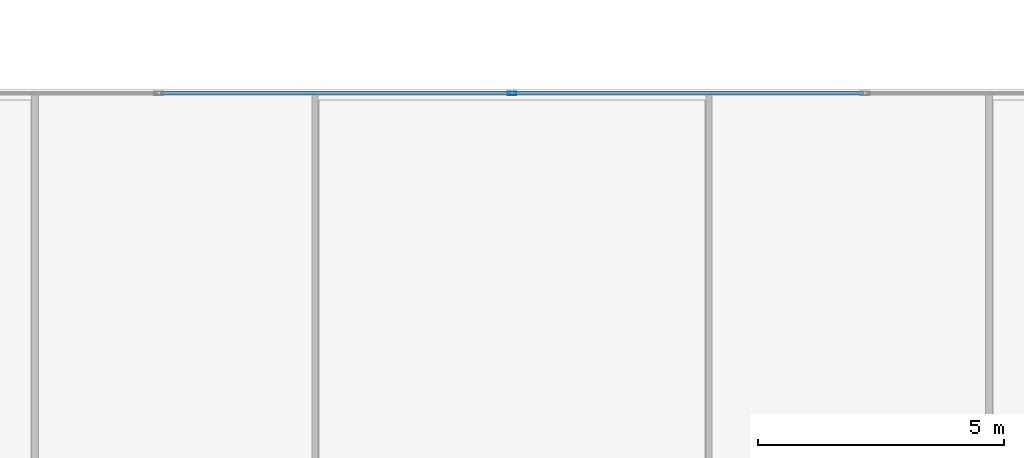
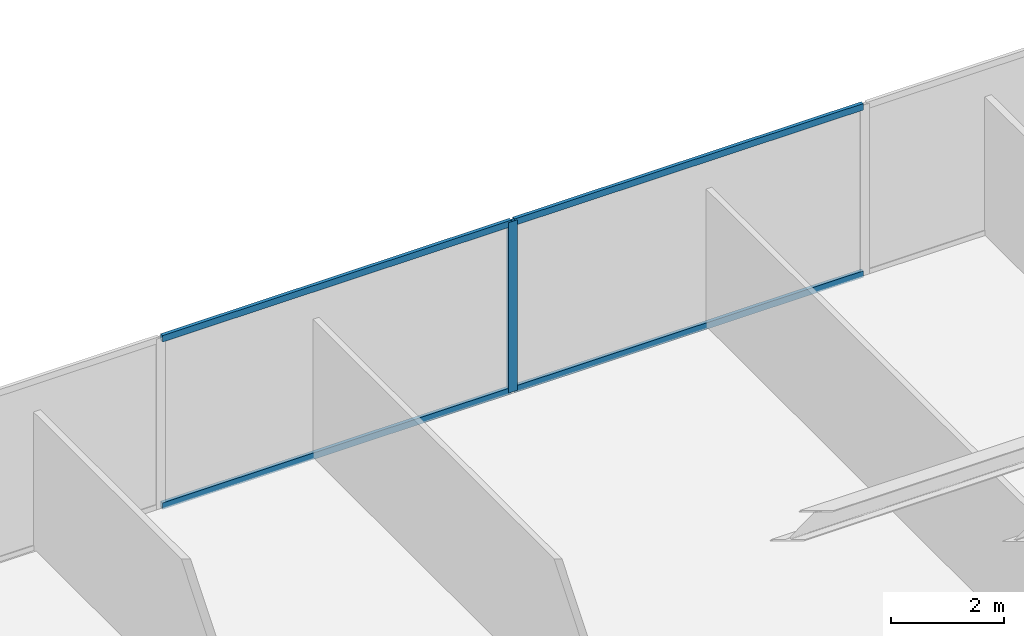
# One storey, part 20 of 30: 5 members, 1 element without a shape of its own.
"""IFC4 building model written with IfcOpenShell, lengths in metres."""

from ifc_helpers import new_model, si_unit, direction, frame, origin, origin_2d, place, context, subcontext, project, spatial, hollow_rectangle, extrude, source, transform, mapped, material, material_profile, profile_set, type_object, type_shapes, element, aggregate, save


model = new_model("IFC4")

# Units and contexts
model_context = context("Model", 3, precision=1e-05, world=origin(), true_north=direction((0.0, 1.0)))
body_context = subcontext(model_context, "Body", "Model", "MODEL_VIEW")
ifc_project = project(units=[si_unit("LENGTHUNIT", "METRE"), si_unit("AREAUNIT", "SQUARE_METRE"), si_unit("VOLUMEUNIT", "CUBIC_METRE"), si_unit("PLANEANGLEUNIT", "RADIAN"), si_unit("MASSUNIT", "GRAM", prefix="KILO")], contexts=[model_context])

# Site, building, storey
site_placement = place(None, origin())
site = spatial("IfcSite", under=ifc_project, at=site_placement, CompositionType="ELEMENT")
building_placement = place(site_placement, origin())
building = spatial("IfcBuilding", under=site, at=building_placement, Name="Krantzveldt Concourse Tower", CompositionType="ELEMENT")
storey_placement = place(building_placement, frame((0.0, 0.0, 25.0)))
storey = spatial("IfcBuildingStorey", under=building, at=storey_placement, Name="L05", CompositionType="ELEMENT", Elevation=25.0)

# Curtain wall, members
ifc_material = material(Name="Anodised aluminium 6063-T6", Category="aluminium")
curtain_wall_type = type_object("IfcCurtainWallType", Name="CW2", PredefinedType="USERDEFINED", material=ifc_material)
curtain_wall_placement = place(storey_placement, origin())
curtain_wall = element("IfcCurtainWall", 1, at=curtain_wall_placement, inside=storey, type_object=curtain_wall_type, Name="CW-L05-F10", ObjectType="UNITISED CURTAIN WALL", PredefinedType="USERDEFINED")
ifc_material_profile_1 = material_profile(ifc_material, hollow_rectangle(XDim=0.070068359375, YDim=0.179931640625, WallThickness=0.0048828125, at=origin_2d()), Name="Anodised aluminium 6063-T6", Category="aluminium")
ifc_profile_set_1 = profile_set([ifc_material_profile_1], Name="Anodised aluminium 6063-T6 - ALU-MULL 180x70x5")
member_type_1 = type_object("IfcMemberType", Name="CW-MUL-180", PredefinedType="MULLION", material=ifc_profile_set_1)
shared_shape_1 = source(origin(), body_context, "Body", "SweptSolid", [
    extrude(hollow_rectangle(XDim=0.070068359375, YDim=0.179931640625, WallThickness=0.0048828125, at=origin_2d()), origin(), (0.0, 0.0, 1.0), 3.669921875),
])
type_shapes(member_type_1, [shared_shape_1])
member_1_placement = place(storey_placement, frame((36.0, 51.610107421875, 0.0), z_axis=(0.0, 0.0, 1.0), x_axis=(0.0, -1.0, 0.0)))
member_1 = element("IfcMember", 2, at=member_1_placement, type_object=member_type_1, Name="CW-Z12 mullion 4", PredefinedType="MULLION", context=body_context, shape_type="MappedRepresentation", body=[
    mapped(shared_shape_1, transform((0.0, 0.0, 0.0), x_axis=(1.0, 0.0, 0.0), y_axis=(0.0, 1.0, 0.0), z_axis=(0.0, 0.0, 1.0), scale=1.0)),
])
ifc_material_profile_2 = material_profile(ifc_material, hollow_rectangle(XDim=0.070068359375, YDim=0.139892578125, WallThickness=0.0048828125, at=origin_2d()), Name="Anodised aluminium 6063-T6", Category="aluminium")
ifc_profile_set_2 = profile_set([ifc_material_profile_2], Name="Anodised aluminium 6063-T6 - ALU-TRAN 140x70x5")
member_type_2 = type_object("IfcMemberType", Name="CW-TRN-150", PredefinedType="USERDEFINED", material=ifc_profile_set_2)
shared_shape_2 = source(origin(), body_context, "Body", "SweptSolid", [
    extrude(hollow_rectangle(XDim=0.070068359375, YDim=0.139892578125, WallThickness=0.0048828125, at=origin_2d()), origin(), (0.0, 0.0, 1.0), 7.0966796875),
])
type_shapes(member_type_2, [shared_shape_2])
member_2_placement = place(storey_placement, frame((43.131591796875, 51.610107421875, 0.034912109375), z_axis=(-1.0, 0.0, 0.0), x_axis=(0.0, -1.0, 0.0)))
member_2 = element("IfcMember", 3, at=member_2_placement, type_object=member_type_2, Name="CW-Z12 transom 3.1", ObjectType="TRANSOM", PredefinedType="USERDEFINED", context=body_context, shape_type="MappedRepresentation", body=[
    mapped(shared_shape_2, transform((0.0, 0.0, 0.0), x_axis=(1.0, 0.0, 0.0), y_axis=(0.0, 1.0, 0.0), z_axis=(0.0, 0.0, 1.0), scale=1.0)),
])
member_3_placement = place(storey_placement, frame((43.131591796875, 51.610107421875, 3.635009765625), z_axis=(-1.0, 0.0, 0.0), x_axis=(0.0, -1.0, 0.0)))
member_3 = element("IfcMember", 4, at=member_3_placement, type_object=member_type_2, Name="CW-Z12 transom 3.2", ObjectType="TRANSOM", PredefinedType="USERDEFINED", context=body_context, shape_type="MappedRepresentation", body=[
    mapped(shared_shape_2, transform((0.0, 0.0, 0.0), x_axis=(1.0, 0.0, 0.0), y_axis=(0.0, 1.0, 0.0), z_axis=(0.0, 0.0, 1.0), scale=1.0)),
])
member_4_placement = place(storey_placement, frame((35.965087890625, 51.610107421875, 0.034912109375), z_axis=(-1.0, 0.0, 0.0), x_axis=(0.0, -1.0, 0.0)))
member_4 = element("IfcMember", 5, at=member_4_placement, type_object=member_type_2, Name="CW-Z12 transom 4.1", ObjectType="TRANSOM", PredefinedType="USERDEFINED", context=body_context, shape_type="MappedRepresentation", body=[
    mapped(shared_shape_2, transform((0.0, 0.0, 0.0), x_axis=(1.0, 0.0, 0.0), y_axis=(0.0, 1.0, 0.0), z_axis=(0.0, 0.0, 1.0), scale=1.0)),
])
member_5_placement = place(storey_placement, frame((35.965087890625, 51.610107421875, 3.635009765625), z_axis=(-1.0, 0.0, 0.0), x_axis=(0.0, -1.0, 0.0)))
member_5 = element("IfcMember", 6, at=member_5_placement, type_object=member_type_2, Name="CW-Z12 transom 4.2", ObjectType="TRANSOM", PredefinedType="USERDEFINED", context=body_context, shape_type="MappedRepresentation", body=[
    mapped(shared_shape_2, transform((0.0, 0.0, 0.0), x_axis=(1.0, 0.0, 0.0), y_axis=(0.0, 1.0, 0.0), z_axis=(0.0, 0.0, 1.0), scale=1.0)),
])
aggregate(curtain_wall, [member_1, member_2, member_3, member_4, member_5])

save(model, "model.ifc")
